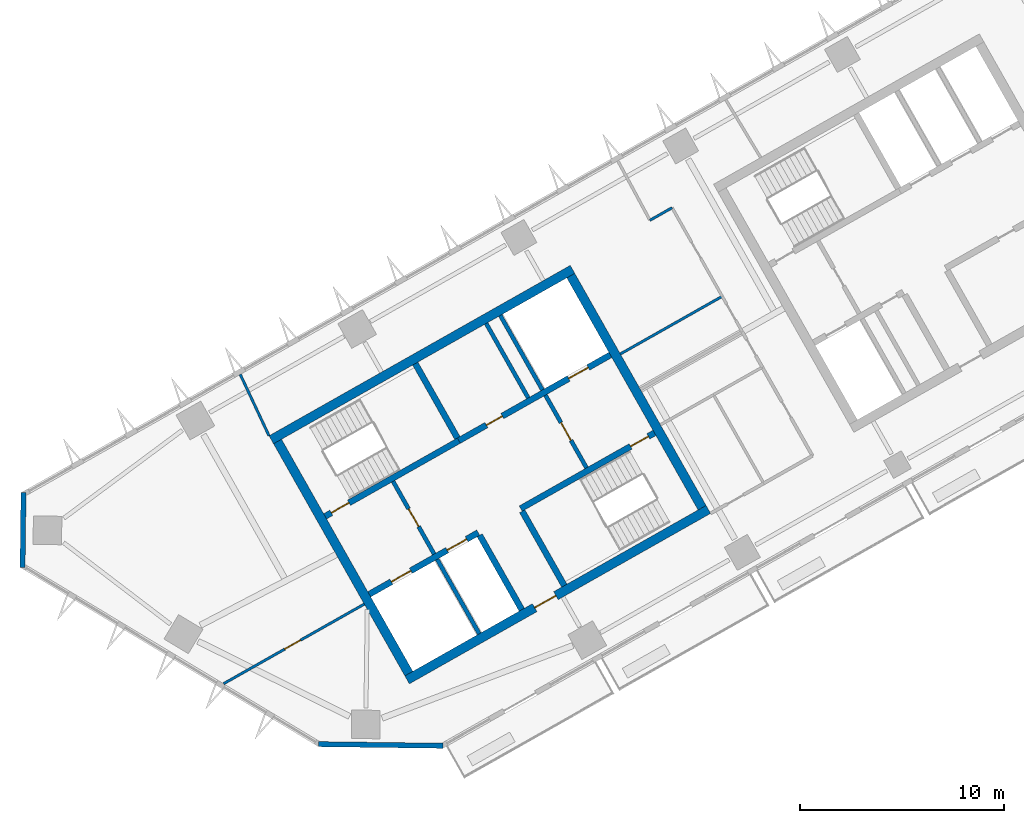
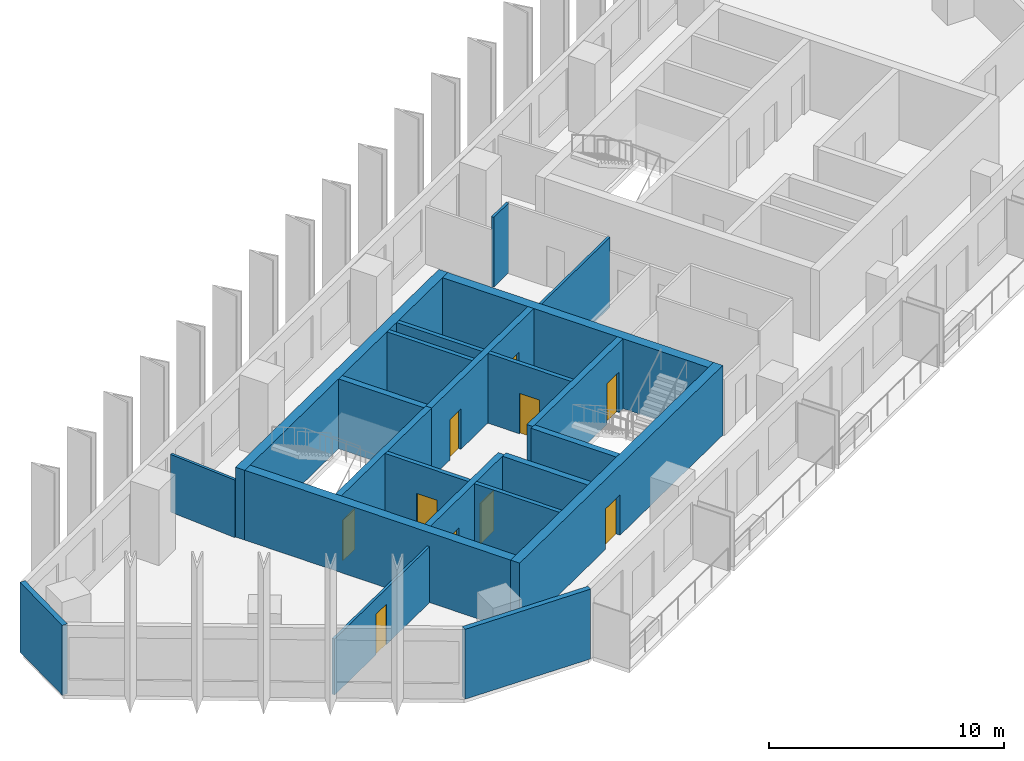
# One storey, part 3 of 11: 22 walls, 10 doors, 10 openings.
"""IFC4 building model written with IfcOpenShell, lengths in metres."""

from ifc_helpers import new_model, si_unit, direction, frame, frame_2d, origin, place, context, subcontext, project, spatial, rectangle, extrude, material, layer, layer_set, type_object, element, fill, save


model = new_model("IFC4")

# Units and contexts
model_context = context("Model", 3, precision=1e-05, world=origin(), true_north=direction((0.0, 1.0)))
body_context = subcontext(model_context, "Body", "Model", "MODEL_VIEW")
ifc_project = project(units=[si_unit("LENGTHUNIT", "METRE"), si_unit("AREAUNIT", "SQUARE_METRE"), si_unit("VOLUMEUNIT", "CUBIC_METRE"), si_unit("PLANEANGLEUNIT", "RADIAN"), si_unit("MASSUNIT", "GRAM", prefix="KILO")], contexts=[model_context])

# Site, building, storey
site_placement = place(None, origin())
site = spatial("IfcSite", under=ifc_project, at=site_placement, CompositionType="ELEMENT")
building_placement = place(site_placement, origin())
building = spatial("IfcBuilding", under=site, at=building_placement, Name="Binnacle Exchange Tower", CompositionType="ELEMENT")
storey_placement = place(building_placement, frame((0.0, 0.0, 207.5)))
storey = spatial("IfcBuildingStorey", under=building, at=storey_placement, Name="L45", CompositionType="ELEMENT", Elevation=207.5)

# Wall, openings, doors
ifc_material_1 = material(Name="Concrete C70/85", Category="concrete")
ifc_layer_1 = layer(ifc_material_1, 0.300048828125)
ifc_layer_set_1 = layer_set([ifc_layer_1], Name="Core wall - front 300")
wall_type_1 = type_object("IfcWallType", Name="Core wall - front 300", PredefinedType="SOLIDWALL", material=ifc_layer_set_1)
wall_1_placement = place(storey_placement, frame((-41.6865234375, 33.88720703125, 0.0), z_axis=(0.0, 0.0, 1.0), x_axis=(0.870355736587, 0.49242348826, 0.0)))
wall_1 = element("IfcWall", 1, at=wall_1_placement, inside=storey, type_object=wall_type_1, Name="Core wall CRWA2", PredefinedType="SOLIDWALL", context=body_context, shape_type="SweptSolid", body=[
    extrude(rectangle(XDim=6.14990234375, YDim=0.300048828125, at=frame_2d((3.074951171875, 0.0))), origin(), (0.0, 0.0, 1.0), 3.6201171875),
])
opening_1_placement = place(wall_1_placement, frame((1.25, 0.0, 0.0)))
opening_1 = element("IfcOpeningElement", 2, at=opening_1_placement, cuts=wall_1, Name="Opening LD12", PredefinedType="OPENING", context=body_context, shape_type="SweptSolid", body=[
    extrude(rectangle(XDim=1.10009765625, YDim=2.10009765625, at=frame_2d((0.550048828125, 1.050048828125))), frame((0.0, 0.159912109375, 0.0), z_axis=(0.0, -1.0, 0.0), x_axis=(1.0, 0.0, 0.0)), (0.0, 0.0, 1.0), 0.320068359375),
])
opening_2_placement = place(wall_1_placement, frame((4.39990234375, 0.0, 0.0)))
opening_2 = element("IfcOpeningElement", 3, at=opening_2_placement, cuts=wall_1, Name="Opening LD8", PredefinedType="OPENING", context=body_context, shape_type="SweptSolid", body=[
    extrude(rectangle(XDim=1.10009765625, YDim=2.10009765625, at=frame_2d((0.550048828125, 1.050048828125))), frame((0.0, 0.159912109375, 0.0), z_axis=(0.0, -1.0, 0.0), x_axis=(1.0, 0.0, 0.0)), (0.0, 0.0, 1.0), 0.320068359375),
])
ifc_material_2 = material(Name="Steel door leaf", Category="steel")
door_type_1 = type_object("IfcDoorType", Name="Fire door - lift landing 1100", OperationType="NOTDEFINED", PredefinedType="DOOR", material=ifc_material_2)
door_1_placement = place(opening_1_placement, origin())
door_1 = element("IfcDoor", 4, at=door_1_placement, inside=storey, type_object=door_type_1, Name="Landing door LD12 L45", OperationType="DOUBLE_DOOR_SLIDING", OverallHeight=2.10009765625, OverallWidth=1.10009765625, PredefinedType="DOOR", context=body_context, shape_type="SweptSolid", body=[
    extrude(rectangle(XDim=1.10009765625, YDim=2.10009765625, at=frame_2d((0.550048828125, 1.050048828125))), frame((0.0, 0.02490234375, 0.0), z_axis=(0.0, -1.0, 0.0), x_axis=(1.0, 0.0, 0.0)), (0.0, 0.0, 1.0), 0.050048828125),
])
fill(opening_1, door_1)
door_2_placement = place(opening_2_placement, origin())
door_2 = element("IfcDoor", 5, at=door_2_placement, inside=storey, type_object=door_type_1, Name="Landing door LD8 L45", OperationType="DOUBLE_DOOR_SLIDING", OverallHeight=2.10009765625, OverallWidth=1.10009765625, PredefinedType="DOOR", context=body_context, shape_type="SweptSolid", body=[
    extrude(rectangle(XDim=1.10009765625, YDim=2.10009765625, at=frame_2d((0.550048828125, 1.050048828125))), frame((0.0, 0.02490234375, 0.0), z_axis=(0.0, -1.0, 0.0), x_axis=(1.0, 0.0, 0.0)), (0.0, 0.0, 1.0), 0.050048828125),
])
fill(opening_2, door_2)

wall_2_placement = place(storey_placement, frame((-37.281982421875, 41.4345703125, 0.0), z_axis=(0.0, 0.0, 1.0), x_axis=(0.870352688754, 0.492428875248, 0.0)))
wall_2 = element("IfcWall", 6, at=wall_2_placement, inside=storey, type_object=wall_type_1, Name="Core wall CRWA5", PredefinedType="SOLIDWALL", context=body_context, shape_type="SweptSolid", body=[
    extrude(rectangle(XDim=8.5498046875, YDim=0.300048828125, at=frame_2d((4.27490234375, 0.0))), origin(), (0.0, 0.0, 1.0), 3.6201171875),
])
opening_3_placement = place(wall_2_placement, frame((6.199951171875, 0.0, 0.0)))
opening_3 = element("IfcOpeningElement", 7, at=opening_3_placement, cuts=wall_2, Name="Opening LD13", PredefinedType="OPENING", context=body_context, shape_type="SweptSolid", body=[
    extrude(rectangle(XDim=1.10009765625, YDim=2.10009765625, at=frame_2d((0.550048828125, 1.050048828125))), frame((0.0, 0.159912109375, 0.0), z_axis=(0.0, -1.0, 0.0), x_axis=(1.0, 0.0, 0.0)), (0.0, 0.0, 1.0), 0.320068359375),
])
opening_4_placement = place(wall_2_placement, frame((1.550048828125, 0.0, 0.0)))
opening_4 = element("IfcOpeningElement", 8, at=opening_4_placement, cuts=wall_2, Name="Opening DA10", PredefinedType="OPENING", context=body_context, shape_type="SweptSolid", body=[
    extrude(rectangle(XDim=0.89990234375, YDim=2.10009765625, at=frame_2d((0.449951171875, 1.050048828125))), frame((0.0, 0.159912109375, 0.0), z_axis=(0.0, -1.0, 0.0), x_axis=(1.0, 0.0, 0.0)), (0.0, 0.0, 1.0), 0.320068359375),
])
door_3_placement = place(opening_3_placement, origin())
door_3 = element("IfcDoor", 9, at=door_3_placement, inside=storey, type_object=door_type_1, Name="Landing door LD13 L45", OperationType="DOUBLE_DOOR_SLIDING", OverallHeight=2.10009765625, OverallWidth=1.10009765625, PredefinedType="DOOR", context=body_context, shape_type="SweptSolid", body=[
    extrude(rectangle(XDim=1.10009765625, YDim=2.10009765625, at=frame_2d((0.550048828125, 1.050048828125))), frame((0.0, 0.02490234375, 0.0), z_axis=(0.0, -1.0, 0.0), x_axis=(1.0, 0.0, 0.0)), (0.0, 0.0, 1.0), 0.050048828125),
])
fill(opening_3, door_3)
door_type_2 = type_object("IfcDoorType", Name="Fire door 900", OperationType="NOTDEFINED", PredefinedType="DOOR", material=ifc_material_2)
door_4_placement = place(opening_4_placement, origin())
door_4 = element("IfcDoor", 10, at=door_4_placement, inside=storey, type_object=door_type_2, Name="Core room door PANTRY", OperationType="SINGLE_SWING_LEFT", OverallHeight=2.10009765625, OverallWidth=0.89990234375, PredefinedType="DOOR", context=body_context, shape_type="SweptSolid", body=[
    extrude(rectangle(XDim=0.89990234375, YDim=2.10009765625, at=frame_2d((0.449951171875, 1.050048828125))), frame((0.0, 0.02490234375, 0.0), z_axis=(0.0, -1.0, 0.0), x_axis=(1.0, 0.0, 0.0)), (0.0, 0.0, 1.0), 0.050048828125),
])
fill(opening_4, door_4)

# Wall
wall_3_placement = place(storey_placement, frame((-36.260009765625, 36.784912109375, 0.0), z_axis=(0.0, 0.0, 1.0), x_axis=(0.492409653846, -0.870363563575, 0.0)))
element("IfcWall", 11, at=wall_3_placement, inside=storey, type_object=wall_type_1, Name="Core wall CRWA13", PredefinedType="SOLIDWALL", context=body_context, shape_type="SweptSolid", body=[
    extrude(rectangle(XDim=4.199951171875, YDim=0.300048828125, at=frame_2d((2.10009765625, 0.0))), origin(), (0.0, 0.0, 1.0), 3.6201171875),
])

# Wall, opening, door
ifc_layer_2 = layer(ifc_material_1, 0.449951171875)
ifc_layer_set_2 = layer_set([ifc_layer_2], Name="Core wall - outer 450")
wall_type_2 = type_object("IfcWallType", Name="Core wall - outer 450", PredefinedType="SOLIDWALL", material=ifc_layer_set_2)
wall_4_placement = place(storey_placement, frame((-39.825439453125, 29.68359375, 0.0), z_axis=(0.0, 0.0, 1.0), x_axis=(0.870353598469, 0.492427267353, 0.0)))
wall_4 = element("IfcWall", 12, at=wall_4_placement, inside=storey, type_object=wall_type_2, Name="Core wall CRWA1", PredefinedType="SOLIDWALL", context=body_context, shape_type="SweptSolid", body=[
    extrude(rectangle(XDim=17.000244140625, YDim=0.449951171875, at=frame_2d((8.5, 0.0))), origin(), (0.0, 0.0, 1.0), 3.6201171875),
])
opening_5_placement = place(wall_4_placement, frame((7.199951171875, 0.0, 0.0)))
opening_5 = element("IfcOpeningElement", 13, at=opening_5_placement, cuts=wall_4, Name="Opening DA7", PredefinedType="OPENING", context=body_context, shape_type="SweptSolid", body=[
    extrude(rectangle(XDim=1.199951171875, YDim=2.10009765625, at=frame_2d((0.60009765625, 1.050048828125))), frame((0.0, 0.23486328125, 0.0), z_axis=(0.0, -1.0, 0.0), x_axis=(1.0, 0.0, 0.0)), (0.0, 0.0, 1.0), 0.469970703125),
])
door_type_3 = type_object("IfcDoorType", Name="Fire door 1200", OperationType="NOTDEFINED", PredefinedType="DOOR", material=ifc_material_2)
door_5_placement = place(opening_5_placement, frame((1.199951171875, 0.0, 0.0), z_axis=(0.0, 0.0, 1.0), x_axis=(-1.0, 0.0, 0.0)))
door_5 = element("IfcDoor", 14, at=door_5_placement, inside=storey, type_object=door_type_3, Name="Lift lobby entrance door core A", OperationType="SINGLE_SWING_RIGHT", OverallHeight=2.10009765625, OverallWidth=1.199951171875, PredefinedType="DOOR", context=body_context, shape_type="SweptSolid", body=[
    extrude(rectangle(XDim=1.199951171875, YDim=2.10009765625, at=frame_2d((0.60009765625, 1.050048828125))), frame((0.0, 0.02490234375, 0.0), z_axis=(0.0, -1.0, 0.0), x_axis=(1.0, 0.0, 0.0)), (0.0, 0.0, 1.0), 0.050048828125),
])
fill(opening_5, door_5)

# Walls
wall_5_placement = place(storey_placement, frame((-46.497802734375, 41.47705078125, 0.0), z_axis=(0.0, 0.0, 1.0), x_axis=(0.870359753402, 0.492416388494, 0.0)))
element("IfcWall", 15, at=wall_5_placement, inside=storey, type_object=wall_type_2, Name="Core wall CRWA6", PredefinedType="SOLIDWALL", context=body_context, shape_type="SweptSolid", body=[
    extrude(rectangle(XDim=17.0, YDim=0.449951171875, at=frame_2d((8.5, 0.0))), origin(), (0.0, 0.0, 1.0), 3.6201171875),
])
for number, where, z_axis, x_axis, name in (
    (16, (-46.191162109375, 41.391845703125, 0.0), (0.0, 0.0, 1.0), (0.492421378713, -0.870356930107, 0.0), "Core wall CRWA7"),
    (17, (-31.78662109375, 49.54150390625, 0.0), (0.0, 0.0, 1.0), (0.492421378713, -0.870356930107, 0.0), "Core wall CRWA22"),
):
    element("IfcWall", number, at=place(storey_placement, frame(where, z_axis=z_axis, x_axis=x_axis)), inside=storey, type_object=wall_type_2, Name=name, PredefinedType="SOLIDWALL", context=body_context, shape_type="SweptSolid", body=[
        extrude(rectangle(XDim=13.099853515625, YDim=0.449951171875, at=frame_2d((6.5498046875, 0.0))), origin(), (0.0, 0.0, 1.0), 3.6201171875),
    ])

# Wall, opening, door
ifc_layer_3 = layer(ifc_material_1, 0.300048828125)
ifc_layer_set_3 = layer_set([ifc_layer_3], Name="Core wall - stair 300")
wall_type_3 = type_object("IfcWallType", Name="Core wall - stair 300", PredefinedType="SOLIDWALL", material=ifc_layer_set_3)
wall_6_placement = place(storey_placement, frame((-34.2451171875, 38.097412109375, 0.0), z_axis=(0.0, 0.0, 1.0), x_axis=(0.870360409231, 0.492415229297, 0.0)))
wall_6 = element("IfcWall", 18, at=wall_6_placement, inside=storey, type_object=wall_type_3, Name="Core wall CRWA3", PredefinedType="SOLIDWALL", context=body_context, shape_type="SweptSolid", body=[
    extrude(rectangle(XDim=7.550048828125, YDim=0.300048828125, at=frame_2d((3.77490234375, 0.0))), origin(), (0.0, 0.0, 1.0), 3.6201171875),
])
opening_6_placement = place(wall_6_placement, frame((6.199951171875, 0.0, 0.0)))
opening_6 = element("IfcOpeningElement", 19, at=opening_6_placement, cuts=wall_6, Name="Opening DA2", PredefinedType="OPENING", context=body_context, shape_type="SweptSolid", body=[
    extrude(rectangle(XDim=1.0, YDim=2.10009765625, at=frame_2d((0.5, 1.050048828125))), frame((0.0, 0.159912109375, 0.0), z_axis=(0.0, -1.0, 0.0), x_axis=(1.0, 0.0, 0.0)), (0.0, 0.0, 1.0), 0.320068359375),
])
door_type_4 = type_object("IfcDoorType", Name="Fire door 1000", OperationType="NOTDEFINED", PredefinedType="DOOR", material=ifc_material_2)
door_6_placement = place(opening_6_placement, frame((1.0, 0.0, 0.0), z_axis=(0.0, 0.0, 1.0), x_axis=(-1.0, 0.0, 0.0)))
door_6 = element("IfcDoor", 20, at=door_6_placement, inside=storey, type_object=door_type_4, Name="Stair door ST-A2", OperationType="SINGLE_SWING_LEFT", OverallHeight=2.10009765625, OverallWidth=1.0, PredefinedType="DOOR", context=body_context, shape_type="SweptSolid", body=[
    extrude(rectangle(XDim=1.0, YDim=2.10009765625, at=frame_2d((0.5, 1.050048828125))), frame((0.0, 0.02490234375, 0.0), z_axis=(0.0, -1.0, 0.0), x_axis=(1.0, 0.0, 0.0)), (0.0, 0.0, 1.0), 0.050048828125),
])
fill(opening_6, door_6)

wall_7_placement = place(storey_placement, frame((-43.853271484375, 37.716796875, 0.0), z_axis=(0.0, 0.0, 1.0), x_axis=(0.870360409231, 0.492415229297, 0.0)))
wall_7 = element("IfcWall", 21, at=wall_7_placement, inside=storey, type_object=wall_type_3, Name="Core wall CRWA4", PredefinedType="SOLIDWALL", context=body_context, shape_type="SweptSolid", body=[
    extrude(rectangle(XDim=7.550048828125, YDim=0.300048828125, at=frame_2d((3.77490234375, 0.0))), origin(), (0.0, 0.0, 1.0), 3.6201171875),
])
opening_7_placement = place(wall_7_placement, frame((0.35009765625, 0.0, 0.0)))
opening_7 = element("IfcOpeningElement", 22, at=opening_7_placement, cuts=wall_7, Name="Opening DA1", PredefinedType="OPENING", context=body_context, shape_type="SweptSolid", body=[
    extrude(rectangle(XDim=1.0, YDim=2.10009765625, at=frame_2d((0.5, 1.050048828125))), frame((0.0, 0.159912109375, 0.0), z_axis=(0.0, -1.0, 0.0), x_axis=(1.0, 0.0, 0.0)), (0.0, 0.0, 1.0), 0.320068359375),
])
door_7_placement = place(opening_7_placement, origin())
door_7 = element("IfcDoor", 23, at=door_7_placement, inside=storey, type_object=door_type_4, Name="Stair door ST-A1", OperationType="SINGLE_SWING_LEFT", OverallHeight=2.10009765625, OverallWidth=1.0, PredefinedType="DOOR", context=body_context, shape_type="SweptSolid", body=[
    extrude(rectangle(XDim=1.0, YDim=2.10009765625, at=frame_2d((0.5, 1.050048828125))), frame((0.0, 0.02490234375, 0.0), z_axis=(0.0, -1.0, 0.0), x_axis=(1.0, 0.0, 0.0)), (0.0, 0.0, 1.0), 0.050048828125),
])
fill(opening_7, door_7)

# Walls
for number, where, z_axis, x_axis, name in (
    (24, (-39.424072265625, 45.220458984375, 0.0), (0.0, 0.0, 1.0), (0.492409653846, -0.870363563575, 0.0), "Core wall CRWA14"),
    (25, (-34.171142578125, 37.966796875, 0.0), (0.0, 0.0, 1.0), (0.492409653846, -0.870363563575, 0.0), "Core wall CRWA16"),
):
    element("IfcWall", number, at=place(storey_placement, frame(where, z_axis=z_axis, x_axis=x_axis)), inside=storey, type_object=wall_type_3, Name=name, PredefinedType="SOLIDWALL", context=body_context, shape_type="SweptSolid", body=[
        extrude(rectangle(XDim=4.199951171875, YDim=0.300048828125, at=frame_2d((2.10009765625, 0.0))), origin(), (0.0, 0.0, 1.0), 3.6201171875),
    ])
ifc_material_3 = material(Name="Bronze aluminium cladding", Category="aluminium")
ifc_layer_4 = layer(ifc_material_3, 0.25)
ifc_layer_set_4 = layer_set([ifc_layer_4], Name="External wall - window wall 250")
wall_type_4 = type_object("IfcWallType", Name="External wall - window wall 250", PredefinedType="STANDARD", material=ifc_layer_set_4)
wall_8_placement = place(storey_placement, frame((-38.06396484375, 26.44482421875, 0.0), z_axis=(0.0, 0.0, 1.0), x_axis=(-0.999914239143, 0.013096349097, 0.0)))
element("IfcWall", 26, at=wall_8_placement, inside=storey, type_object=wall_type_4, Name="External wall EW-G00 L45", PredefinedType="STANDARD", context=body_context, shape_type="SweptSolid", body=[
    extrude(rectangle(XDim=6.114501953125, YDim=0.25, at=frame_2d((3.05712890625, 0.0))), origin(), (0.0, 0.0, 1.0), 3.6201171875),
])
wall_9_placement = place(storey_placement, frame((-58.717041015625, 35.208251953125, 0.0), z_axis=(0.0, 0.0, 1.0), x_axis=(0.01310512158, 0.999914124207, 0.0)))
element("IfcWall", 27, at=wall_9_placement, inside=storey, type_object=wall_type_4, Name="External wall EW-G09 L45", PredefinedType="STANDARD", context=body_context, shape_type="SweptSolid", body=[
    extrude(rectangle(XDim=3.669921875, YDim=0.25, at=frame_2d((1.8349609375, 0.0))), origin(), (0.0, 0.0, 1.0), 3.6201171875),
])

# Wall, opening, door
ifc_material_4 = material(Name="Masonry block wall", Category="masonry")
ifc_layer_5 = layer(ifc_material_4, 0.199951171875)
ifc_layer_set_5 = layer_set([ifc_layer_5], Name="Fire wall - vestibule 200")
wall_type_5 = type_object("IfcWallType", Name="Fire wall - vestibule 200", PredefinedType="PARTITIONING", material=ifc_layer_set_5)
wall_10_placement = place(storey_placement, frame((-40.515625, 39.4326171875, 0.0), z_axis=(0.0, 0.0, 1.0), x_axis=(0.492453559952, -0.87033872216, 0.0)))
wall_10 = element("IfcWall", 28, at=wall_10_placement, inside=storey, type_object=wall_type_5, Name="Core wall CRWA10", PredefinedType="PARTITIONING", context=body_context, shape_type="SweptSolid", body=[
    extrude(rectangle(XDim=4.099853515625, YDim=0.199951171875, at=frame_2d((2.0498046875, 0.0))), origin(), (0.0, 0.0, 1.0), 3.6201171875),
])
opening_8_placement = place(wall_10_placement, frame((1.550048828125, 0.0, 0.0)))
opening_8 = element("IfcOpeningElement", 29, at=opening_8_placement, cuts=wall_10, Name="Opening DA3", PredefinedType="OPENING", context=body_context, shape_type="SweptSolid", body=[
    extrude(rectangle(XDim=1.0, YDim=2.10009765625, at=frame_2d((0.5, 1.050048828125))), frame((0.0, 0.10986328125, 0.0), z_axis=(0.0, -1.0, 0.0), x_axis=(1.0, 0.0, 0.0)), (0.0, 0.0, 1.0), 0.219970703125),
])
door_8_placement = place(opening_8_placement, frame((1.0, 0.0, 0.0), z_axis=(0.0, 0.0, 1.0), x_axis=(-1.0, 0.0, 0.0)))
door_8 = element("IfcDoor", 30, at=door_8_placement, inside=storey, type_object=door_type_4, Name="Vestibule door VEST-W", OperationType="SINGLE_SWING_LEFT", OverallHeight=2.10009765625, OverallWidth=1.0, PredefinedType="DOOR", context=body_context, shape_type="SweptSolid", body=[
    extrude(rectangle(XDim=1.0, YDim=2.10009765625, at=frame_2d((0.5, 1.050048828125))), frame((0.0, 0.02490234375, 0.0), z_axis=(0.0, -1.0, 0.0), x_axis=(1.0, 0.0, 0.0)), (0.0, 0.0, 1.0), 0.050048828125),
])
fill(opening_8, door_8)

wall_11_placement = place(storey_placement, frame((-33.030517578125, 43.66748046875, 0.0), z_axis=(0.0, 0.0, 1.0), x_axis=(0.492408451753, -0.87036424366, 0.0)))
wall_11 = element("IfcWall", 31, at=wall_11_placement, inside=storey, type_object=wall_type_5, Name="Core wall CRWA19", PredefinedType="PARTITIONING", context=body_context, shape_type="SweptSolid", body=[
    extrude(rectangle(XDim=4.099853515625, YDim=0.199951171875, at=frame_2d((2.0498046875, 0.0))), origin(), (0.0, 0.0, 1.0), 3.6201171875),
])
opening_9_placement = place(wall_11_placement, frame((1.550048828125, 0.0, 0.0)))
opening_9 = element("IfcOpeningElement", 32, at=opening_9_placement, cuts=wall_11, Name="Opening DA4", PredefinedType="OPENING", context=body_context, shape_type="SweptSolid", body=[
    extrude(rectangle(XDim=1.0, YDim=2.10009765625, at=frame_2d((0.5, 1.050048828125))), frame((0.0, 0.10986328125, 0.0), z_axis=(0.0, -1.0, 0.0), x_axis=(1.0, 0.0, 0.0)), (0.0, 0.0, 1.0), 0.219970703125),
])
door_9_placement = place(opening_9_placement, origin())
door_9 = element("IfcDoor", 33, at=door_9_placement, inside=storey, type_object=door_type_4, Name="Vestibule door VEST-E", OperationType="SINGLE_SWING_RIGHT", OverallHeight=2.10009765625, OverallWidth=1.0, PredefinedType="DOOR", context=body_context, shape_type="SweptSolid", body=[
    extrude(rectangle(XDim=1.0, YDim=2.10009765625, at=frame_2d((0.5, 1.050048828125))), frame((0.0, 0.02490234375, 0.0), z_axis=(0.0, -1.0, 0.0), x_axis=(1.0, 0.0, 0.0)), (0.0, 0.0, 1.0), 0.050048828125),
])
fill(opening_9, door_9)

ifc_material_5 = material(Name="Gypsum partition")
ifc_layer_6 = layer(ifc_material_5, 0.125)
ifc_layer_set_6 = layer_set([ifc_layer_6], Name="Partition 125")
wall_type_6 = type_object("IfcWallType", Name="Partition 125", PredefinedType="PARTITIONING", material=ifc_layer_set_6)
wall_12_placement = place(storey_placement, frame((-48.843017578125, 29.493896484375, 0.0), z_axis=(0.0, 0.0, 1.0), x_axis=(0.870384139606, 0.492373282705, 0.0)))
wall_12 = element("IfcWall", 34, at=wall_12_placement, inside=storey, type_object=wall_type_6, Name="Partition W01", PredefinedType="PARTITIONING", context=body_context, shape_type="SweptSolid", body=[
    extrude(rectangle(XDim=7.94140625, YDim=0.125, at=frame_2d((3.970703125, 0.0))), origin(), (0.0, 0.0, 1.0), 2.89990234375),
])
opening_10_placement = place(wall_12_placement, frame((3.449951171875, 0.0, 0.0)))
opening_10 = element("IfcOpeningElement", 35, at=opening_10_placement, cuts=wall_12, Name="Opening DL45-01", PredefinedType="OPENING", context=body_context, shape_type="SweptSolid", body=[
    extrude(rectangle(XDim=0.89990234375, YDim=2.10009765625, at=frame_2d((0.449951171875, 1.050048828125))), frame((0.0, 0.072509765625, 0.0), z_axis=(0.0, -1.0, 0.0), x_axis=(1.0, 0.0, 0.0)), (0.0, 0.0, 1.0), 0.14501953125),
])
ifc_material_6 = material(Name="Timber door leaf", Category="wood")
door_type_5 = type_object("IfcDoorType", Name="Door 900", OperationType="NOTDEFINED", PredefinedType="DOOR", material=ifc_material_6)
door_10_placement = place(opening_10_placement, origin())
door_10 = element("IfcDoor", 36, at=door_10_placement, inside=storey, type_object=door_type_5, Name="Door DL45-01", OperationType="SINGLE_SWING_LEFT", OverallHeight=2.10009765625, OverallWidth=0.89990234375, PredefinedType="DOOR", context=body_context, shape_type="SweptSolid", body=[
    extrude(rectangle(XDim=0.89990234375, YDim=2.10009765625, at=frame_2d((0.449951171875, 1.050048828125))), frame((0.0, 0.02490234375, 0.0), z_axis=(0.0, -1.0, 0.0), x_axis=(1.0, 0.0, 0.0)), (0.0, 0.0, 1.0), 0.050048828125),
])
fill(opening_10, door_10)

# Walls
wall_13_placement = place(storey_placement, frame((-48.02197265625, 44.68701171875, 0.0), z_axis=(0.0, 0.0, 1.0), x_axis=(0.424510917438, -0.905422818895, 0.0)))
element("IfcWall", 37, at=wall_13_placement, inside=storey, type_object=wall_type_6, Name="Partition W02", PredefinedType="PARTITIONING", context=body_context, shape_type="SweptSolid", body=[
    extrude(rectangle(XDim=3.328857421875, YDim=0.125, at=frame_2d((1.66455078125, 0.0))), origin(), (0.0, 0.0, 1.0), 2.988037109375),
])
wall_14_placement = place(storey_placement, frame((-29.35009765625, 45.69189453125, 0.0), z_axis=(0.0, 0.0, 1.0), x_axis=(0.870294630003, 0.492531478169, 0.0)))
element("IfcWall", 38, at=wall_14_placement, inside=storey, type_object=wall_type_6, Name="Partition W04", PredefinedType="PARTITIONING", context=body_context, shape_type="SweptSolid", body=[
    extrude(rectangle(XDim=5.75, YDim=0.125, at=frame_2d((2.875, 0.0))), origin(), (0.0, 0.0, 1.0), 3.6201171875),
])
wall_15_placement = place(storey_placement, frame((-27.89599609375, 52.260009765625, 0.0), z_axis=(0.0, 0.0, 1.0), x_axis=(0.870195245452, 0.492707047638, 0.0)))
element("IfcWall", 39, at=wall_15_placement, inside=storey, type_object=wall_type_6, Name="Partition W06", PredefinedType="PARTITIONING", context=body_context, shape_type="SweptSolid", body=[
    extrude(rectangle(XDim=1.250244140625, YDim=0.125, at=frame_2d((0.625, 0.0))), origin(), (0.0, 0.0, 1.0), 3.6201171875),
])
ifc_layer_7 = layer(ifc_material_4, 0.199951171875)
ifc_layer_set_7 = layer_set([ifc_layer_7], Name="Riser wall 200")
wall_type_7 = type_object("IfcWallType", Name="Riser wall 200", PredefinedType="SOLIDWALL", material=ifc_layer_set_7)
for number, where, z_axis, x_axis, name in (
    (40, (-35.942626953125, 47.190185546875, 0.0), (0.0, 0.0, 1.0), (0.492409653846, -0.870363563575, 0.0), "Core wall CRWA18"),
    (41, (-35.246337890625, 47.584228515625, 0.0), (0.0, 0.0, 1.0), (0.492409653846, -0.870363563575, 0.0), "Core wall CRWA20"),
):
    element("IfcWall", number, at=place(storey_placement, frame(where, z_axis=z_axis, x_axis=x_axis)), inside=storey, type_object=wall_type_7, Name=name, PredefinedType="SOLIDWALL", context=body_context, shape_type="SweptSolid", body=[
        extrude(rectangle(XDim=4.199951171875, YDim=0.199951171875, at=frame_2d((2.10009765625, 0.0))), origin(), (0.0, 0.0, 1.0), 3.6201171875),
    ])
ifc_layer_8 = layer(ifc_material_4, 0.199951171875)
ifc_layer_set_8 = layer_set([ifc_layer_8], Name="Shaft wall 200")
wall_type_8 = type_object("IfcWallType", Name="Shaft wall 200", PredefinedType="SOLIDWALL", material=ifc_layer_set_8)
wall_16_placement = place(storey_placement, frame((-38.348876953125, 35.603271484375, 0.0), z_axis=(0.0, 0.0, 1.0), x_axis=(0.492409653846, -0.870363563575, 0.0)))
element("IfcWall", 42, at=wall_16_placement, inside=storey, type_object=wall_type_8, Name="Core wall CRWA9", PredefinedType="SOLIDWALL", context=body_context, shape_type="SweptSolid", body=[
    extrude(rectangle(XDim=4.199951171875, YDim=0.199951171875, at=frame_2d((2.10009765625, 0.0))), origin(), (0.0, 0.0, 1.0), 3.6201171875),
])

save(model, "model.ifc")
